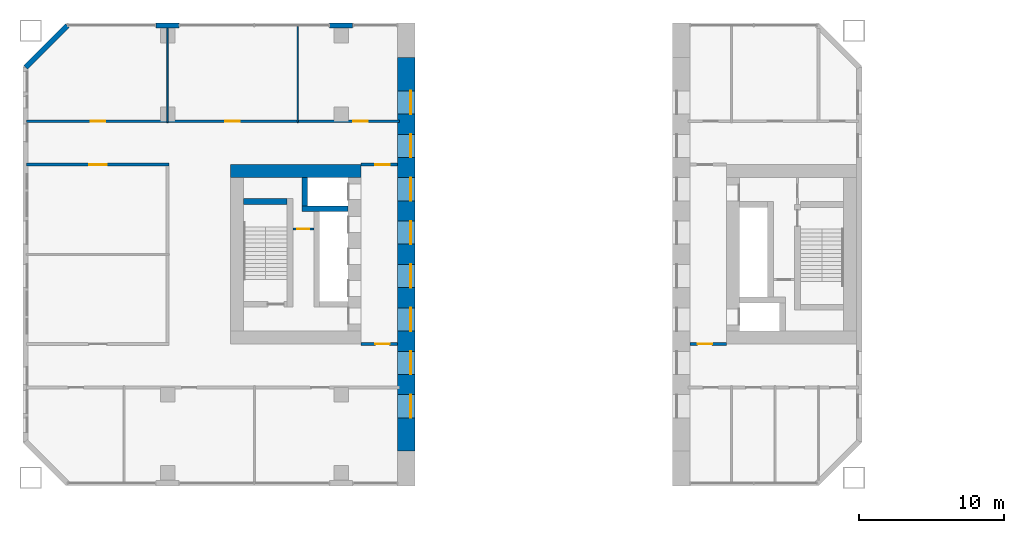
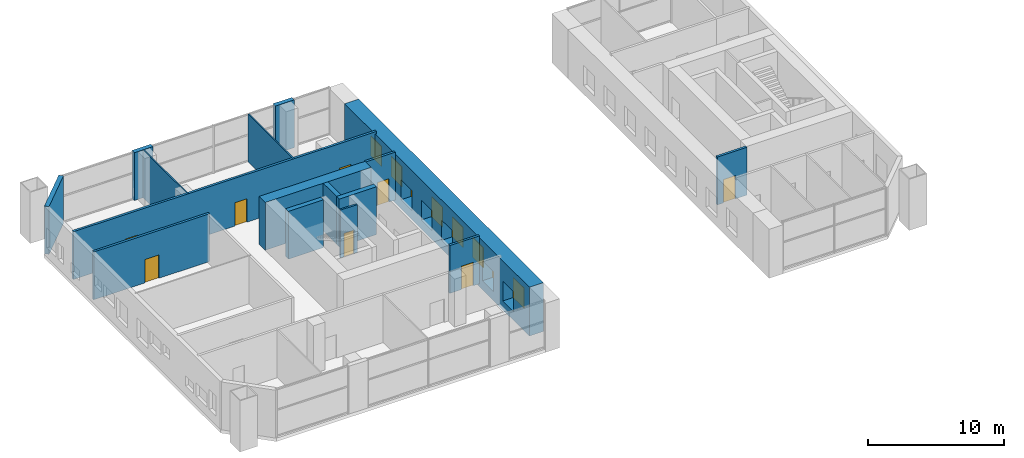
# One storey, part 10 of 19: 16 walls, 8 doors, 8 windows, 16 openings.
"""IFC4 building model written with IfcOpenShell, lengths in metres."""

from ifc_helpers import new_model, si_unit, direction, frame, frame_2d, origin, place, context, subcontext, project, spatial, rectangle, extrude, material, layer, layer_set, type_object, element, fill, save


model = new_model("IFC4")

# Units and contexts
model_context = context("Model", 3, precision=1e-05, world=origin(), true_north=direction((0.0, 1.0)))
body_context = subcontext(model_context, "Body", "Model", "MODEL_VIEW")
ifc_project = project(units=[si_unit("LENGTHUNIT", "METRE"), si_unit("AREAUNIT", "SQUARE_METRE"), si_unit("VOLUMEUNIT", "CUBIC_METRE"), si_unit("PLANEANGLEUNIT", "RADIAN"), si_unit("MASSUNIT", "GRAM", prefix="KILO")], contexts=[model_context])

# Site, building, storey
site_placement = place(None, origin())
site = spatial("IfcSite", under=ifc_project, at=site_placement, CompositionType="ELEMENT")
building_placement = place(site_placement, origin())
building = spatial("IfcBuilding", under=site, at=building_placement, Name="Tuart Gate Housing", CompositionType="ELEMENT")
storey_placement = place(building_placement, frame((0.0, 0.0, 10.10009765625)))
storey = spatial("IfcBuildingStorey", under=building, at=storey_placement, Name="L02", CompositionType="ELEMENT", Elevation=10.10009765625)

# Walls
ifc_material_1 = material(Name="Brick", Category="masonry")
ifc_layer_1 = layer(ifc_material_1, 0.360107421875)
ifc_layer_set_1 = layer_set([ifc_layer_1], Name="Brick pier and spandrel wall 360")
wall_type_1 = type_object("IfcWallType", Name="Brick pier and spandrel wall 360", PredefinedType="STANDARD", material=ifc_layer_set_1)
for number, where, z_axis, x_axis, name in (
    (1, (40.800048828125, 85.820068359375, 0.0), (0.0, 0.0, 1.0), (-1.0, 0.0, 0.0), "External wall A-N L02"),
    (2, (28.800048828125, 85.820068359375, 0.0), (0.0, 0.0, 1.0), (-1.0, 0.0, 0.0), "External wall A-N L02"),
):
    element("IfcWall", number, at=place(storey_placement, frame(where, z_axis=z_axis, x_axis=x_axis)), inside=storey, type_object=wall_type_1, Name=name, PredefinedType="STANDARD", context=body_context, shape_type="SweptSolid", body=[
        extrude(rectangle(XDim=1.60009765625, YDim=0.360107421875, at=frame_2d((0.800048828125, 0.0))), origin(), (0.0, 0.0, 1.0), 4.2998046875),
    ])
wall_1_placement = place(storey_placement, frame((21.07470703125, 85.820068359375, 0.0), z_axis=(0.0, 0.0, 1.0), x_axis=(-0.707106781187, -0.707106781187, 0.0)))
element("IfcWall", 3, at=wall_1_placement, inside=storey, type_object=wall_type_1, Name="External wall A-NW L02", PredefinedType="STANDARD", context=body_context, shape_type="SweptSolid", body=[
    extrude(rectangle(XDim=4.09375, YDim=0.360107421875, at=frame_2d((2.046875, 0.0))), origin(), (0.0, 0.0, 1.0), 4.2998046875),
])

# Wall, opening, door
ifc_material_2 = material(Name="Plasterboard partition")
ifc_layer_2 = layer(ifc_material_2, 0.14990234375)
ifc_layer_set_2 = layer_set([ifc_layer_2], Name="Core partition 150")
wall_type_2 = type_object("IfcWallType", Name="Core partition 150", PredefinedType="PARTITIONING", material=ifc_layer_set_2)
wall_2_placement = place(storey_placement, frame((38.110107421875, 71.75, 0.0), z_axis=(0.0, 0.0, 1.0), x_axis=(-1.0, 0.0, 0.0)))
wall_2 = element("IfcWall", 4, at=wall_2_placement, inside=storey, type_object=wall_type_2, Name="Core partition AK.3", PredefinedType="PARTITIONING", context=body_context, shape_type="SweptSolid", body=[
    extrude(rectangle(XDim=1.4501953125, YDim=0.14990234375, at=frame_2d((0.72509765625, 0.0))), origin(), (0.0, 0.0, 1.0), 4.2998046875),
])
opening_1_placement = place(wall_2_placement, frame((0.300048828125, 0.0, 0.0)))
opening_1 = element("IfcOpeningElement", 5, at=opening_1_placement, cuts=wall_2, Name="Opening D3187", PredefinedType="OPENING", context=body_context, shape_type="SweptSolid", body=[
    extrude(rectangle(XDim=0.85009765625, YDim=2.10009765625, at=frame_2d((0.425048828125, 1.050048828125))), frame((0.0, 0.0849609375, 0.0), z_axis=(0.0, -1.0, 0.0), x_axis=(1.0, 0.0, 0.0)), (0.0, 0.0, 1.0), 0.169921875),
])
ifc_material_3 = material(Name="Steel fire door", Category="steel")
door_type_1 = type_object("IfcDoorType", Name="Riser door 850 x 2100 RH", OperationType="SINGLE_SWING_RIGHT", PredefinedType="DOOR", material=ifc_material_3)
door_1_placement = place(opening_1_placement, frame((0.85009765625, 0.0, 0.0), z_axis=(0.0, 0.0, 1.0), x_axis=(-1.0, 0.0, 0.0)))
door_1 = element("IfcDoor", 6, at=door_1_placement, inside=storey, type_object=door_type_1, Name="Service room door AK.E1", OperationType="SINGLE_SWING_RIGHT", OverallHeight=2.10009765625, OverallWidth=0.85009765625, PredefinedType="DOOR", context=body_context, shape_type="SweptSolid", body=[
    extrude(rectangle(XDim=0.85009765625, YDim=2.10009765625, at=frame_2d((0.425048828125, 1.050048828125))), frame((0.0, 0.025146484375, 0.0), z_axis=(0.0, -1.0, 0.0), x_axis=(1.0, 0.0, 0.0)), (0.0, 0.0, 1.0), 0.050048828125),
])
fill(opening_1, door_1)

# Walls
ifc_material_4 = material(Name="Concrete C60", Category="concrete")
ifc_layer_3 = layer(ifc_material_4, 0.39990234375)
ifc_layer_set_3 = layer_set([ifc_layer_3], Name="Core wall 400 C60")
wall_type_3 = type_object("IfcWallType", Name="Core wall 400 C60", PredefinedType="SHEAR", material=ifc_layer_set_3)
wall_3_placement = place(storey_placement, frame((36.260009765625, 73.64990234375, 0.0), z_axis=(0.0, 0.0, 1.0), x_axis=(-1.0, 0.0, 0.0)))
element("IfcWall", 7, at=wall_3_placement, inside=storey, type_object=wall_type_3, Name="Core wall AK.1", PredefinedType="SHEAR", context=body_context, shape_type="SweptSolid", body=[
    extrude(rectangle(XDim=3.0, YDim=0.39990234375, at=frame_2d((1.5, 0.0))), origin(), (0.0, 0.0, 1.0), 4.2998046875),
])
wall_4_placement = place(storey_placement, frame((40.4599609375, 73.14990234375, 0.0), z_axis=(0.0, 0.0, 1.0), x_axis=(-1.0, 0.0, 0.0)))
element("IfcWall", 8, at=wall_4_placement, inside=storey, type_object=wall_type_3, Name="Core wall AK.2", PredefinedType="SHEAR", context=body_context, shape_type="SweptSolid", body=[
    extrude(rectangle(XDim=3.169921875, YDim=0.39990234375, at=frame_2d((1.5849609375, 0.0))), origin(), (0.0, 0.0, 1.0), 4.2998046875),
])
wall_5_placement = place(storey_placement, frame((37.489990234375, 75.300048828125, 0.0), z_axis=(0.0, 0.0, 1.0), x_axis=(0.0, -1.0, 0.0)))
element("IfcWall", 9, at=wall_5_placement, inside=storey, type_object=wall_type_3, Name="Core wall AK.7", PredefinedType="SHEAR", context=body_context, shape_type="SweptSolid", body=[
    extrude(rectangle(XDim=1.949951171875, YDim=0.39990234375, at=frame_2d((0.97509765625, 0.0))), origin(), (0.0, 0.0, 1.0), 4.2998046875),
])
ifc_material_5 = material(Name="Concrete C60", Category="concrete")
ifc_layer_4 = layer(ifc_material_5, 0.89990234375)
ifc_layer_set_4 = layer_set([ifc_layer_4], Name="Core wall 900 C60")
wall_type_4 = type_object("IfcWallType", Name="Core wall 900 C60", PredefinedType="SHEAR", material=ifc_layer_set_4)
wall_6_placement = place(storey_placement, frame((41.360107421875, 75.75, 0.0), z_axis=(0.0, 0.0, 1.0), x_axis=(-1.0, 0.0, 0.0)))
element("IfcWall", 10, at=wall_6_placement, inside=storey, type_object=wall_type_4, Name="Core wall AK south", PredefinedType="SHEAR", context=body_context, shape_type="SweptSolid", body=[
    extrude(rectangle(XDim=9.0, YDim=0.89990234375, at=frame_2d((4.5, 0.0))), origin(), (0.0, 0.0, 1.0), 4.2998046875),
])

# Wall, opening, door
ifc_material_6 = material(Name="Concrete masonry 15 MPa", Category="masonry")
ifc_layer_5 = layer(ifc_material_6, 0.199951171875)
ifc_layer_set_5 = layer_set([ifc_layer_5], Name="Corridor wall masonry 200")
wall_type_5 = type_object("IfcWallType", Name="Corridor wall masonry 200", PredefinedType="PARTITIONING", material=ifc_layer_set_5)
wall_7_placement = place(storey_placement, frame((18.239990234375, 76.199951171875, 0.0), z_axis=(0.0, 0.0, 1.0), x_axis=(1.0, 0.0, 0.0)))
wall_7 = element("IfcWall", 11, at=wall_7_placement, inside=storey, type_object=wall_type_5, Name="Corridor wall masonry 200", PredefinedType="PARTITIONING", context=body_context, shape_type="SweptSolid", body=[
    extrude(rectangle(XDim=9.860107421875, YDim=0.199951171875, at=frame_2d((4.93017578125, 0.0))), origin(), (0.0, 0.0, 1.0), 4.2998046875),
])
opening_2_placement = place(wall_7_placement, frame((4.340087890625, 0.0, 0.0)))
opening_2 = element("IfcOpeningElement", 12, at=opening_2_placement, cuts=wall_7, Name="Opening D3183", PredefinedType="OPENING", context=body_context, shape_type="SweptSolid", body=[
    extrude(rectangle(XDim=1.199951171875, YDim=2.10009765625, at=frame_2d((0.60009765625, 1.050048828125))), frame((0.0, 0.10986328125, 0.0), z_axis=(0.0, -1.0, 0.0), x_axis=(1.0, 0.0, 0.0)), (0.0, 0.0, 1.0), 0.219970703125),
])
ifc_material_7 = material(Name="Timber door leaf in steel frame", Category="steel")
door_type_2 = type_object("IfcDoorType", Name="Fire door 1200 RH", OperationType="SINGLE_SWING_RIGHT", PredefinedType="DOOR", material=ifc_material_7)
door_2_placement = place(opening_2_placement, frame((1.199951171875, 0.0, 0.0), z_axis=(0.0, 0.0, 1.0), x_axis=(-1.0, 0.0, 0.0)))
door_2 = element("IfcDoor", 13, at=door_2_placement, inside=storey, type_object=door_type_2, Name="Fire door 1200", OperationType="SINGLE_SWING_RIGHT", OverallHeight=2.10009765625, OverallWidth=1.199951171875, PredefinedType="DOOR", context=body_context, shape_type="SweptSolid", body=[
    extrude(rectangle(XDim=1.199951171875, YDim=2.10009765625, at=frame_2d((0.599853515625, 1.050048828125))), frame((0.0, 0.025146484375, 0.0), z_axis=(0.0, -1.0, 0.0), x_axis=(1.0, 0.0, 0.0)), (0.0, 0.0, 1.0), 0.050048828125),
])
fill(opening_2, door_2)

# Wall, openings, doors
wall_8_placement = place(storey_placement, frame((18.239990234375, 79.199951171875, 0.0), z_axis=(0.0, 0.0, 1.0), x_axis=(1.0, 0.0, 0.0)))
wall_8 = element("IfcWall", 14, at=wall_8_placement, inside=storey, type_object=wall_type_5, Name="Corridor wall masonry 200", PredefinedType="PARTITIONING", context=body_context, shape_type="SweptSolid", body=[
    extrude(rectangle(XDim=25.780029296875, YDim=0.199951171875, at=frame_2d((12.89013671875, 0.0))), origin(), (0.0, 0.0, 1.0), 4.2998046875),
])
opening_3_placement = place(wall_8_placement, frame((4.43994140625, 0.0, 0.0)))
opening_3 = element("IfcOpeningElement", 15, at=opening_3_placement, cuts=wall_8, Name="Opening D3177", PredefinedType="OPENING", context=body_context, shape_type="SweptSolid", body=[
    extrude(rectangle(XDim=1.0, YDim=2.10009765625, at=frame_2d((0.5, 1.050048828125))), frame((0.0, 0.10986328125, 0.0), z_axis=(0.0, -1.0, 0.0), x_axis=(1.0, 0.0, 0.0)), (0.0, 0.0, 1.0), 0.219970703125),
])
opening_4_placement = place(wall_8_placement, frame((13.760009765625, 0.0, 0.0)))
opening_4 = element("IfcOpeningElement", 16, at=opening_4_placement, cuts=wall_8, Name="Opening D3178", PredefinedType="OPENING", context=body_context, shape_type="SweptSolid", body=[
    extrude(rectangle(XDim=1.0, YDim=2.10009765625, at=frame_2d((0.5, 1.050048828125))), frame((0.0, 0.10986328125, 0.0), z_axis=(0.0, -1.0, 0.0), x_axis=(1.0, 0.0, 0.0)), (0.0, 0.0, 1.0), 0.219970703125),
])
opening_5_placement = place(wall_8_placement, frame((22.610107421875, 0.0, 0.0)))
opening_5 = element("IfcOpeningElement", 17, at=opening_5_placement, cuts=wall_8, Name="Opening D3179", PredefinedType="OPENING", context=body_context, shape_type="SweptSolid", body=[
    extrude(rectangle(XDim=1.0, YDim=2.10009765625, at=frame_2d((0.5, 1.050048828125))), frame((0.0, 0.10986328125, 0.0), z_axis=(0.0, -1.0, 0.0), x_axis=(1.0, 0.0, 0.0)), (0.0, 0.0, 1.0), 0.219970703125),
])
ifc_material_8 = material(Name="Timber door leaf in steel frame", Category="steel")
door_type_3 = type_object("IfcDoorType", Name="Fire door 1000", OperationType="SINGLE_SWING_LEFT", PredefinedType="DOOR", material=ifc_material_8)
door_3_placement = place(opening_3_placement, origin())
door_3 = element("IfcDoor", 18, at=door_3_placement, inside=storey, type_object=door_type_3, Name="Fire door 1000", OperationType="SINGLE_SWING_LEFT", OverallHeight=2.10009765625, OverallWidth=1.0, PredefinedType="DOOR", context=body_context, shape_type="SweptSolid", body=[
    extrude(rectangle(XDim=1.0, YDim=2.10009765625, at=frame_2d((0.5, 1.050048828125))), frame((0.0, 0.02490234375, 0.0), z_axis=(0.0, -1.0, 0.0), x_axis=(1.0, 0.0, 0.0)), (0.0, 0.0, 1.0), 0.050048828125),
])
fill(opening_3, door_3)
door_4_placement = place(opening_4_placement, origin())
door_4 = element("IfcDoor", 19, at=door_4_placement, inside=storey, type_object=door_type_3, Name="Fire door 1000", OperationType="SINGLE_SWING_LEFT", OverallHeight=2.10009765625, OverallWidth=1.0, PredefinedType="DOOR", context=body_context, shape_type="SweptSolid", body=[
    extrude(rectangle(XDim=1.0, YDim=2.10009765625, at=frame_2d((0.5, 1.050048828125))), frame((0.0, 0.02490234375, 0.0), z_axis=(0.0, -1.0, 0.0), x_axis=(1.0, 0.0, 0.0)), (0.0, 0.0, 1.0), 0.050048828125),
])
fill(opening_4, door_4)
ifc_material_9 = material(Name="Timber door leaf in steel frame", Category="steel")
door_type_4 = type_object("IfcDoorType", Name="Fire door 1000 RH", OperationType="SINGLE_SWING_RIGHT", PredefinedType="DOOR", material=ifc_material_9)
door_5_placement = place(opening_5_placement, origin())
door_5 = element("IfcDoor", 20, at=door_5_placement, inside=storey, type_object=door_type_4, Name="Fire door 1000", OperationType="SINGLE_SWING_RIGHT", OverallHeight=2.10009765625, OverallWidth=1.0, PredefinedType="DOOR", context=body_context, shape_type="SweptSolid", body=[
    extrude(rectangle(XDim=1.0, YDim=2.10009765625, at=frame_2d((0.5, 1.050048828125))), frame((0.0, 0.02490234375, 0.0), z_axis=(0.0, -1.0, 0.0), x_axis=(1.0, 0.0, 0.0)), (0.0, 0.0, 1.0), 0.050048828125),
])
fill(opening_5, door_5)

# Wall, opening, door
ifc_material_10 = material(Name="Concrete masonry 15 MPa", Category="masonry")
ifc_layer_6 = layer(ifc_material_10, 0.199951171875)
ifc_layer_set_6 = layer_set([ifc_layer_6], Name="Enclosure wall masonry 200")
wall_type_6 = type_object("IfcWallType", Name="Enclosure wall masonry 200", PredefinedType="PARTITIONING", material=ifc_layer_set_6)
wall_9_placement = place(storey_placement, frame((41.360107421875, 63.800048828125, 0.0), z_axis=(0.0, 0.0, 1.0), x_axis=(1.0, 0.0, 0.0)))
wall_9 = element("IfcWall", 21, at=wall_9_placement, inside=storey, type_object=wall_type_6, Name="Enclosure wall masonry 200", PredefinedType="PARTITIONING", context=body_context, shape_type="SweptSolid", body=[
    extrude(rectangle(XDim=2.539794921875, YDim=0.199951171875, at=frame_2d((1.27001953125, 0.0))), origin(), (0.0, 0.0, 1.0), 4.2998046875),
])
opening_6_placement = place(wall_9_placement, frame((1.0, 0.0, 0.0)))
opening_6 = element("IfcOpeningElement", 22, at=opening_6_placement, cuts=wall_9, Name="Opening D3194", PredefinedType="OPENING", context=body_context, shape_type="SweptSolid", body=[
    extrude(rectangle(XDim=1.0, YDim=2.10009765625, at=frame_2d((0.5, 1.050048828125))), frame((0.0, 0.10986328125, 0.0), z_axis=(0.0, -1.0, 0.0), x_axis=(1.0, 0.0, 0.0)), (0.0, 0.0, 1.0), 0.219970703125),
])
ifc_material_11 = material(Name="Timber door leaf in steel frame", Category="steel")
door_type_5 = type_object("IfcDoorType", Name="Lobby door 1000", OperationType="SINGLE_SWING_LEFT", PredefinedType="DOOR", material=ifc_material_11)
door_6_placement = place(opening_6_placement, frame((1.0, 0.0, 0.0), z_axis=(0.0, 0.0, 1.0), x_axis=(-1.0, 0.0, 0.0)))
door_6 = element("IfcDoor", 23, at=door_6_placement, inside=storey, type_object=door_type_5, Name="Lobby door 1000", OperationType="SINGLE_SWING_LEFT", OverallHeight=2.10009765625, OverallWidth=1.0, PredefinedType="DOOR", context=body_context, shape_type="SweptSolid", body=[
    extrude(rectangle(XDim=1.0, YDim=2.10009765625, at=frame_2d((0.5, 1.050048828125))), frame((0.0, 0.025146484375, 0.0), z_axis=(0.0, -1.0, 0.0), x_axis=(1.0, 0.0, 0.0)), (0.0, 0.0, 1.0), 0.050048828125),
])
fill(opening_6, door_6)

wall_10_placement = place(storey_placement, frame((64.10009765625, 63.800048828125, 0.0), z_axis=(0.0, 0.0, 1.0), x_axis=(1.0, 0.0, 0.0)))
wall_10 = element("IfcWall", 24, at=wall_10_placement, inside=storey, type_object=wall_type_6, Name="Enclosure wall masonry 200", PredefinedType="PARTITIONING", context=body_context, shape_type="SweptSolid", body=[
    extrude(rectangle(XDim=2.539794921875, YDim=0.199951171875, at=frame_2d((1.27001953125, 0.0))), origin(), (0.0, 0.0, 1.0), 4.2998046875),
])
opening_7_placement = place(wall_10_placement, frame((0.5400390625, 0.0, 0.0)))
opening_7 = element("IfcOpeningElement", 25, at=opening_7_placement, cuts=wall_10, Name="Opening D3195", PredefinedType="OPENING", context=body_context, shape_type="SweptSolid", body=[
    extrude(rectangle(XDim=1.0, YDim=2.10009765625, at=frame_2d((0.5, 1.050048828125))), frame((0.0, 0.10986328125, 0.0), z_axis=(0.0, -1.0, 0.0), x_axis=(1.0, 0.0, 0.0)), (0.0, 0.0, 1.0), 0.219970703125),
])
ifc_material_12 = material(Name="Timber door leaf in steel frame", Category="steel")
door_type_6 = type_object("IfcDoorType", Name="Lobby door 1000 RH", OperationType="SINGLE_SWING_RIGHT", PredefinedType="DOOR", material=ifc_material_12)
door_7_placement = place(opening_7_placement, frame((1.0, 0.0, 0.0), z_axis=(0.0, 0.0, 1.0), x_axis=(-1.0, 0.0, 0.0)))
door_7 = element("IfcDoor", 26, at=door_7_placement, inside=storey, type_object=door_type_6, Name="Lobby door 1000", OperationType="SINGLE_SWING_RIGHT", OverallHeight=2.10009765625, OverallWidth=1.0, PredefinedType="DOOR", context=body_context, shape_type="SweptSolid", body=[
    extrude(rectangle(XDim=1.0, YDim=2.10009765625, at=frame_2d((0.5, 1.050048828125))), frame((0.0, 0.025146484375, 0.0), z_axis=(0.0, -1.0, 0.0), x_axis=(1.0, 0.0, 0.0)), (0.0, 0.0, 1.0), 0.050048828125),
])
fill(opening_7, door_7)

wall_11_placement = place(storey_placement, frame((41.360107421875, 76.199951171875, 0.0), z_axis=(0.0, 0.0, 1.0), x_axis=(1.0, 0.0, 0.0)))
wall_11 = element("IfcWall", 27, at=wall_11_placement, inside=storey, type_object=wall_type_6, Name="Enclosure wall masonry 200", PredefinedType="PARTITIONING", context=body_context, shape_type="SweptSolid", body=[
    extrude(rectangle(XDim=2.539794921875, YDim=0.199951171875, at=frame_2d((1.27001953125, 0.0))), origin(), (0.0, 0.0, 1.0), 4.2998046875),
])
opening_8_placement = place(wall_11_placement, frame((1.0, 0.0, 0.0)))
opening_8 = element("IfcOpeningElement", 28, at=opening_8_placement, cuts=wall_11, Name="Opening D3184", PredefinedType="OPENING", context=body_context, shape_type="SweptSolid", body=[
    extrude(rectangle(XDim=1.0, YDim=2.10009765625, at=frame_2d((0.5, 1.050048828125))), frame((0.0, 0.10986328125, 0.0), z_axis=(0.0, -1.0, 0.0), x_axis=(1.0, 0.0, 0.0)), (0.0, 0.0, 1.0), 0.219970703125),
])
door_8_placement = place(opening_8_placement, origin())
door_8 = element("IfcDoor", 29, at=door_8_placement, inside=storey, type_object=door_type_6, Name="Lobby door 1000", OperationType="SINGLE_SWING_RIGHT", OverallHeight=2.10009765625, OverallWidth=1.0, PredefinedType="DOOR", context=body_context, shape_type="SweptSolid", body=[
    extrude(rectangle(XDim=1.0, YDim=2.10009765625, at=frame_2d((0.5, 1.050048828125))), frame((0.0, 0.02490234375, 0.0), z_axis=(0.0, -1.0, 0.0), x_axis=(1.0, 0.0, 0.0)), (0.0, 0.0, 1.0), 0.050048828125),
])
fill(opening_8, door_8)

# Walls
ifc_material_13 = material(Name="Gypsum board on steel studs", Category="steel")
ifc_layer_7 = layer(ifc_material_13, 0.10009765625)
ifc_layer_set_7 = layer_set([ifc_layer_7], Name="Partition 100")
wall_type_7 = type_object("IfcWallType", Name="Partition 100", PredefinedType="PARTITIONING", material=ifc_layer_set_7)
for number, where, z_axis, x_axis, name in (
    (30, (28.0, 79.10009765625, 0.0), (0.0, 0.0, 1.0), (0.0, 1.0, 0.0), "Partition 100"),
    (31, (37.0, 79.10009765625, 0.0), (0.0, 0.0, 1.0), (0.0, 1.0, 0.0), "Partition 100"),
):
    element("IfcWall", number, at=place(storey_placement, frame(where, z_axis=z_axis, x_axis=x_axis)), inside=storey, type_object=wall_type_7, Name=name, PredefinedType="PARTITIONING", context=body_context, shape_type="SweptSolid", body=[
        extrude(rectangle(XDim=6.659912109375, YDim=0.10009765625, at=frame_2d((3.330078125, 0.0))), origin(), (0.0, 0.0, 1.0), 4.2998046875),
    ])

# Wall, openings, windows
ifc_material_14 = material(Name="Concrete C60", Category="concrete")
ifc_layer_8 = layer(ifc_material_14, 1.199951171875)
ifc_layer_set_8 = layer_set([ifc_layer_8], Name="RC wall 1200 C60")
wall_type_8 = type_object("IfcWallType", Name="RC wall 1200 C60", PredefinedType="SHEAR", material=ifc_layer_set_8)
wall_12_placement = place(storey_placement, frame((44.5, 56.39990234375, -0.300048828125), z_axis=(0.0, 0.0, 1.0), x_axis=(0.0, 1.0, 0.0)))
wall_12 = element("IfcWall", 32, at=wall_12_placement, inside=storey, type_object=wall_type_8, Name="Pier wall AW L02", PredefinedType="SHEAR", context=body_context, shape_type="SweptSolid", body=[
    extrude(rectangle(XDim=27.2001953125, YDim=1.199951171875, at=frame_2d((13.60009765625, 0.0))), origin(), (0.0, 0.0, 1.0), 4.39990234375),
])
opening_9_placement = place(wall_12_placement, frame((2.300048828125, 0.0, 0.800048828125)))
opening_9 = element("IfcOpeningElement", 33, at=opening_9_placement, cuts=wall_12, Name="Opening W1", PredefinedType="OPENING", context=body_context, shape_type="SweptSolid", body=[
    extrude(rectangle(XDim=1.60009765625, YDim=1.800048828125, at=frame_2d((0.800048828125, 0.89990234375))), frame((0.0, 0.60986328125, 0.0), z_axis=(0.0, -1.0, 0.0), x_axis=(1.0, 0.0, 0.0)), (0.0, 0.0, 1.0), 1.219970703125),
])
opening_10_placement = place(wall_12_placement, frame((5.300048828125, 0.0, 0.800048828125)))
opening_10 = element("IfcOpeningElement", 34, at=opening_10_placement, cuts=wall_12, Name="Opening W1", PredefinedType="OPENING", context=body_context, shape_type="SweptSolid", body=[
    extrude(rectangle(XDim=1.60009765625, YDim=1.800048828125, at=frame_2d((0.800048828125, 0.89990234375))), frame((0.0, 0.60986328125, 0.0), z_axis=(0.0, -1.0, 0.0), x_axis=(1.0, 0.0, 0.0)), (0.0, 0.0, 1.0), 1.219970703125),
])
opening_11_placement = place(wall_12_placement, frame((8.300048828125, 0.0, 0.800048828125)))
opening_11 = element("IfcOpeningElement", 35, at=opening_11_placement, cuts=wall_12, Name="Opening W1", PredefinedType="OPENING", context=body_context, shape_type="SweptSolid", body=[
    extrude(rectangle(XDim=1.60009765625, YDim=1.800048828125, at=frame_2d((0.800048828125, 0.89990234375))), frame((0.0, 0.60986328125, 0.0), z_axis=(0.0, -1.0, 0.0), x_axis=(1.0, 0.0, 0.0)), (0.0, 0.0, 1.0), 1.219970703125),
])
opening_12_placement = place(wall_12_placement, frame((11.300048828125, 0.0, 0.800048828125)))
opening_12 = element("IfcOpeningElement", 36, at=opening_12_placement, cuts=wall_12, Name="Opening W1", PredefinedType="OPENING", context=body_context, shape_type="SweptSolid", body=[
    extrude(rectangle(XDim=1.60009765625, YDim=1.800048828125, at=frame_2d((0.800048828125, 0.89990234375))), frame((0.0, 0.60986328125, 0.0), z_axis=(0.0, -1.0, 0.0), x_axis=(1.0, 0.0, 0.0)), (0.0, 0.0, 1.0), 1.219970703125),
])
opening_13_placement = place(wall_12_placement, frame((14.300048828125, 0.0, 0.800048828125)))
opening_13 = element("IfcOpeningElement", 37, at=opening_13_placement, cuts=wall_12, Name="Opening W1", PredefinedType="OPENING", context=body_context, shape_type="SweptSolid", body=[
    extrude(rectangle(XDim=1.60009765625, YDim=1.800048828125, at=frame_2d((0.800048828125, 0.89990234375))), frame((0.0, 0.60986328125, 0.0), z_axis=(0.0, -1.0, 0.0), x_axis=(1.0, 0.0, 0.0)), (0.0, 0.0, 1.0), 1.219970703125),
])
opening_14_placement = place(wall_12_placement, frame((17.300048828125, 0.0, 0.800048828125)))
opening_14 = element("IfcOpeningElement", 38, at=opening_14_placement, cuts=wall_12, Name="Opening W1", PredefinedType="OPENING", context=body_context, shape_type="SweptSolid", body=[
    extrude(rectangle(XDim=1.60009765625, YDim=1.800048828125, at=frame_2d((0.800048828125, 0.89990234375))), frame((0.0, 0.60986328125, 0.0), z_axis=(0.0, -1.0, 0.0), x_axis=(1.0, 0.0, 0.0)), (0.0, 0.0, 1.0), 1.219970703125),
])
opening_15_placement = place(wall_12_placement, frame((20.300048828125, 0.0, 0.800048828125)))
opening_15 = element("IfcOpeningElement", 39, at=opening_15_placement, cuts=wall_12, Name="Opening W1", PredefinedType="OPENING", context=body_context, shape_type="SweptSolid", body=[
    extrude(rectangle(XDim=1.60009765625, YDim=1.800048828125, at=frame_2d((0.800048828125, 0.89990234375))), frame((0.0, 0.60986328125, 0.0), z_axis=(0.0, -1.0, 0.0), x_axis=(1.0, 0.0, 0.0)), (0.0, 0.0, 1.0), 1.219970703125),
])
opening_16_placement = place(wall_12_placement, frame((23.300048828125, 0.0, 0.800048828125)))
opening_16 = element("IfcOpeningElement", 40, at=opening_16_placement, cuts=wall_12, Name="Opening W1", PredefinedType="OPENING", context=body_context, shape_type="SweptSolid", body=[
    extrude(rectangle(XDim=1.60009765625, YDim=1.800048828125, at=frame_2d((0.800048828125, 0.89990234375))), frame((0.0, 0.60986328125, 0.0), z_axis=(0.0, -1.0, 0.0), x_axis=(1.0, 0.0, 0.0)), (0.0, 0.0, 1.0), 1.219970703125),
])
ifc_material_15 = material(Name="Aluminium frame with clear glass", Category="aluminium")
window_type = type_object("IfcWindowType", Name="Punched window 1600 x 1800", PartitioningType="SINGLE_PANEL", PredefinedType="WINDOW", material=ifc_material_15)
window_1_placement = place(opening_9_placement, origin())
window_1 = element("IfcWindow", 41, at=window_1_placement, inside=storey, type_object=window_type, Name="Window W1", OverallHeight=1.800048828125, OverallWidth=1.60009765625, PartitioningType="SINGLE_PANEL", PredefinedType="WINDOW", context=body_context, shape_type="SweptSolid", body=[
    extrude(rectangle(XDim=1.60009765625, YDim=1.800048828125, at=frame_2d((0.800048828125, 0.89990234375))), frame((0.0, -0.27001953125, 0.0), z_axis=(0.0, -1.0, 0.0), x_axis=(1.0, 0.0, 0.0)), (0.0, 0.0, 1.0), 0.06005859375),
])
fill(opening_9, window_1)
window_2_placement = place(opening_10_placement, origin())
window_2 = element("IfcWindow", 42, at=window_2_placement, inside=storey, type_object=window_type, Name="Window W1", OverallHeight=1.800048828125, OverallWidth=1.60009765625, PartitioningType="SINGLE_PANEL", PredefinedType="WINDOW", context=body_context, shape_type="SweptSolid", body=[
    extrude(rectangle(XDim=1.60009765625, YDim=1.800048828125, at=frame_2d((0.800048828125, 0.89990234375))), frame((0.0, -0.27001953125, 0.0), z_axis=(0.0, -1.0, 0.0), x_axis=(1.0, 0.0, 0.0)), (0.0, 0.0, 1.0), 0.06005859375),
])
fill(opening_10, window_2)
window_3_placement = place(opening_11_placement, origin())
window_3 = element("IfcWindow", 43, at=window_3_placement, inside=storey, type_object=window_type, Name="Window W1", OverallHeight=1.800048828125, OverallWidth=1.60009765625, PartitioningType="SINGLE_PANEL", PredefinedType="WINDOW", context=body_context, shape_type="SweptSolid", body=[
    extrude(rectangle(XDim=1.60009765625, YDim=1.800048828125, at=frame_2d((0.800048828125, 0.89990234375))), frame((0.0, -0.27001953125, 0.0), z_axis=(0.0, -1.0, 0.0), x_axis=(1.0, 0.0, 0.0)), (0.0, 0.0, 1.0), 0.06005859375),
])
fill(opening_11, window_3)
window_4_placement = place(opening_12_placement, origin())
window_4 = element("IfcWindow", 44, at=window_4_placement, inside=storey, type_object=window_type, Name="Window W1", OverallHeight=1.800048828125, OverallWidth=1.60009765625, PartitioningType="SINGLE_PANEL", PredefinedType="WINDOW", context=body_context, shape_type="SweptSolid", body=[
    extrude(rectangle(XDim=1.60009765625, YDim=1.800048828125, at=frame_2d((0.800048828125, 0.89990234375))), frame((0.0, -0.27001953125, 0.0), z_axis=(0.0, -1.0, 0.0), x_axis=(1.0, 0.0, 0.0)), (0.0, 0.0, 1.0), 0.06005859375),
])
fill(opening_12, window_4)
window_5_placement = place(opening_13_placement, origin())
window_5 = element("IfcWindow", 45, at=window_5_placement, inside=storey, type_object=window_type, Name="Window W1", OverallHeight=1.800048828125, OverallWidth=1.60009765625, PartitioningType="SINGLE_PANEL", PredefinedType="WINDOW", context=body_context, shape_type="SweptSolid", body=[
    extrude(rectangle(XDim=1.60009765625, YDim=1.800048828125, at=frame_2d((0.800048828125, 0.89990234375))), frame((0.0, -0.27001953125, 0.0), z_axis=(0.0, -1.0, 0.0), x_axis=(1.0, 0.0, 0.0)), (0.0, 0.0, 1.0), 0.06005859375),
])
fill(opening_13, window_5)
window_6_placement = place(opening_14_placement, origin())
window_6 = element("IfcWindow", 46, at=window_6_placement, inside=storey, type_object=window_type, Name="Window W1", OverallHeight=1.800048828125, OverallWidth=1.60009765625, PartitioningType="SINGLE_PANEL", PredefinedType="WINDOW", context=body_context, shape_type="SweptSolid", body=[
    extrude(rectangle(XDim=1.60009765625, YDim=1.800048828125, at=frame_2d((0.800048828125, 0.89990234375))), frame((0.0, -0.27001953125, 0.0), z_axis=(0.0, -1.0, 0.0), x_axis=(1.0, 0.0, 0.0)), (0.0, 0.0, 1.0), 0.06005859375),
])
fill(opening_14, window_6)
window_7_placement = place(opening_15_placement, origin())
window_7 = element("IfcWindow", 47, at=window_7_placement, inside=storey, type_object=window_type, Name="Window W1", OverallHeight=1.800048828125, OverallWidth=1.60009765625, PartitioningType="SINGLE_PANEL", PredefinedType="WINDOW", context=body_context, shape_type="SweptSolid", body=[
    extrude(rectangle(XDim=1.60009765625, YDim=1.800048828125, at=frame_2d((0.800048828125, 0.89990234375))), frame((0.0, -0.27001953125, 0.0), z_axis=(0.0, -1.0, 0.0), x_axis=(1.0, 0.0, 0.0)), (0.0, 0.0, 1.0), 0.06005859375),
])
fill(opening_15, window_7)
window_8_placement = place(opening_16_placement, origin())
window_8 = element("IfcWindow", 48, at=window_8_placement, inside=storey, type_object=window_type, Name="Window W1", OverallHeight=1.800048828125, OverallWidth=1.60009765625, PartitioningType="SINGLE_PANEL", PredefinedType="WINDOW", context=body_context, shape_type="SweptSolid", body=[
    extrude(rectangle(XDim=1.60009765625, YDim=1.800048828125, at=frame_2d((0.800048828125, 0.89990234375))), frame((0.0, -0.27001953125, 0.0), z_axis=(0.0, -1.0, 0.0), x_axis=(1.0, 0.0, 0.0)), (0.0, 0.0, 1.0), 0.06005859375),
])
fill(opening_16, window_8)

save(model, "model.ifc")
